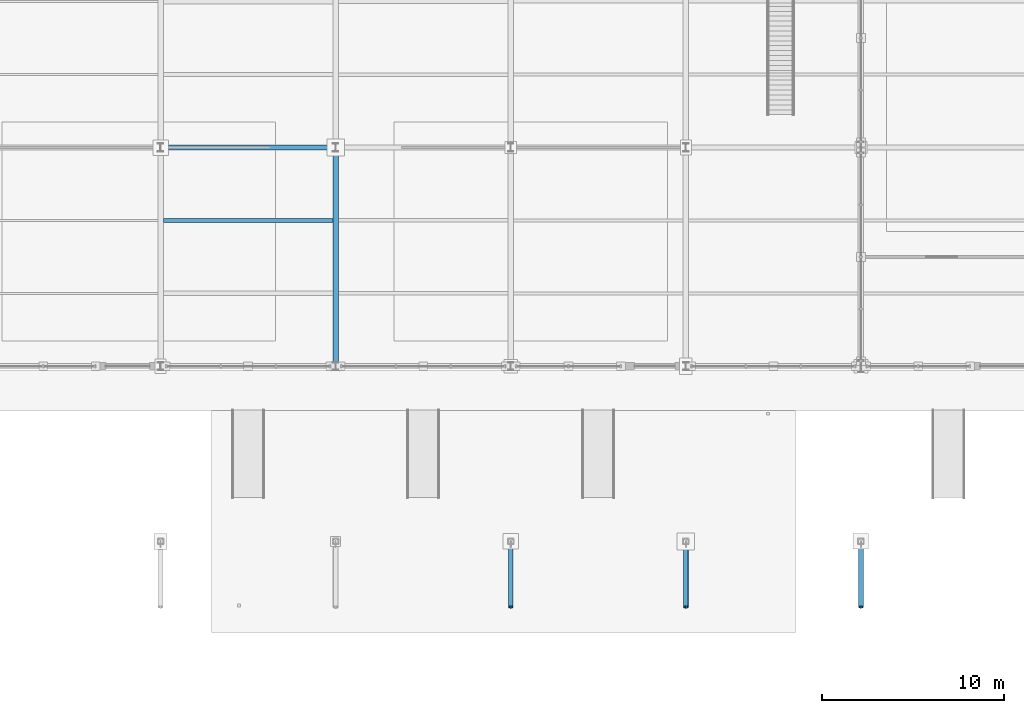
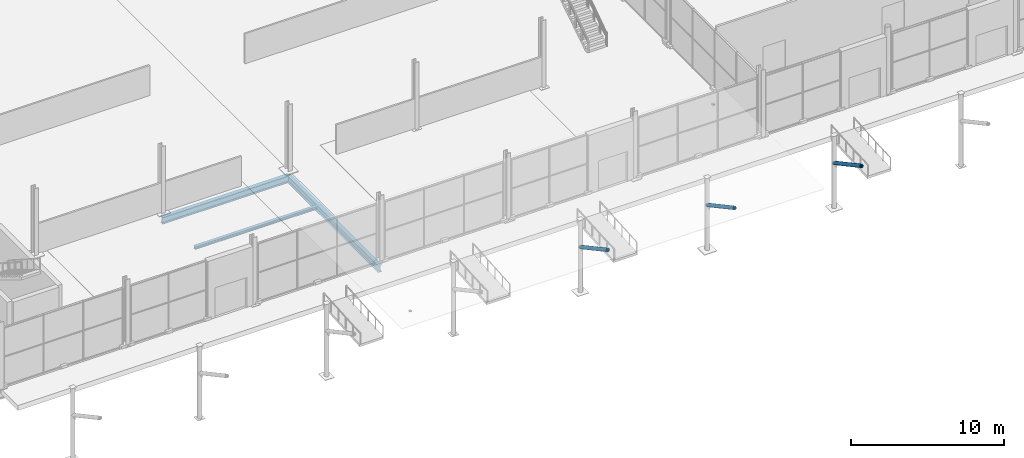
# One storey, part 34 of 196: 3 beams, 3 members.
"""IFC4 building model written with IfcOpenShell, lengths in metres."""

from ifc_helpers import new_model, si_unit, direction, frame, origin, origin_2d, place, context, subcontext, project, spatial, hollow_circle, i_section, extrude, material, material_profile, profile_set, type_object, element, save


model = new_model("IFC4")

# Units and contexts
model_context = context("Model", 3, precision=1e-05, world=origin(), true_north=direction((0.0, 1.0)))
body_context = subcontext(model_context, "Body", "Model", "MODEL_VIEW")
ifc_project = project(units=[si_unit("LENGTHUNIT", "METRE"), si_unit("AREAUNIT", "SQUARE_METRE"), si_unit("VOLUMEUNIT", "CUBIC_METRE"), si_unit("PLANEANGLEUNIT", "RADIAN"), si_unit("MASSUNIT", "GRAM", prefix="KILO")], contexts=[model_context])

# Site, building, storey
site_placement = place(None, origin())
site = spatial("IfcSite", under=ifc_project, at=site_placement, CompositionType="ELEMENT")
building_placement = place(site_placement, origin())
building = spatial("IfcBuilding", under=site, at=building_placement, Name="Merenkruunu Market Hall", CompositionType="ELEMENT")
storey_placement = place(building_placement, origin())
storey = spatial("IfcBuildingStorey", under=building, at=storey_placement, Name="L00", CompositionType="ELEMENT", Elevation=0.0)

# Members
ifc_material_1 = material(Name="Steel S355ML", Category="steel")
ifc_material_profile_1 = material_profile(ifc_material_1, hollow_circle(Radius=0.136474609375, WallThickness=0.012451171875, at=origin_2d()), Name="CHS 273x12.5")
ifc_profile_set_1 = profile_set([ifc_material_profile_1], Name="Steel S355ML")
member_type = type_object("IfcMemberType", Name="Diagonal Sway Brace BR02", PredefinedType="BRACE", material=ifc_profile_set_1)
for number, where, z_axis, x_axis, name in (
    (1, (38.39990234375, 6.0, 3.60009765625), (0.0, -0.880325370235, 0.474370364294), (1.0, 0.0, 0.0), "MEM-V6-STRUT-038"),
    (2, (48.0, 6.0, 3.60009765625), (0.0, -0.880325370235, 0.474370364294), (1.0, 0.0, 0.0), "MEM-V6-STRUT-048"),
    (3, (57.60009765625, 6.0, 3.60009765625), (0.0, -0.880325370235, 0.474370364294), (1.0, 0.0, 0.0), "MEM-V6-STRUT-058"),
):
    element("IfcMember", number, at=place(storey_placement, frame(where, z_axis=z_axis, x_axis=x_axis)), inside=storey, type_object=member_type, Name=name, PredefinedType="BRACE", context=body_context, shape_type="SweptSolid", body=[
        extrude(hollow_circle(Radius=0.136474609375, WallThickness=0.012451171875, at=origin_2d()), origin(), (0.0, 0.0, 1.0), 4.089599609375),
    ])

# Beams
ifc_material_2 = material(Name="Steel S355J2", Category="steel")
ifc_material_profile_2 = material_profile(ifc_material_2, i_section(OverallWidth=0.300048828125, OverallDepth=0.550048828125, WebThickness=0.014892578125, FlangeThickness=0.029052734375, FilletRadius=0.027099609375, at=origin_2d()), Name="HEB 550")
ifc_profile_set_2 = profile_set([ifc_material_profile_2], Name="Steel S355J2")
beam_type_1 = type_object("IfcBeamType", Name="Primary Floor Girder B02", PredefinedType="BEAM", material=ifc_profile_set_2)
beam_1_placement = place(storey_placement, frame((19.199951171875, 27.60009765625, -0.614990234375), z_axis=(1.0, 0.0, 0.0), x_axis=(0.0, 1.0, 0.0)))
element("IfcBeam", 4, at=beam_1_placement, inside=storey, type_object=beam_type_1, Name="BM-L00-B02-0029", PredefinedType="BEAM", context=body_context, shape_type="SweptSolid", body=[
    extrude(i_section(OverallWidth=0.300048828125, OverallDepth=0.550048828125, WebThickness=0.014892578125, FlangeThickness=0.029052734375, FilletRadius=0.027099609375, at=origin_2d()), origin(), (0.0, 0.0, 1.0), 9.60009765625),
])
ifc_material_profile_3 = material_profile(ifc_material_2, i_section(OverallWidth=0.300048828125, OverallDepth=0.5400390625, WebThickness=0.012451171875, FlangeThickness=0.02392578125, FilletRadius=0.027099609375, at=origin_2d()), Name="HEA 550")
ifc_profile_set_3 = profile_set([ifc_material_profile_3], Name="Steel S355J2")
beam_type_2 = type_object("IfcBeamType", Name="Primary Floor Girder B06", PredefinedType="BEAM", material=ifc_profile_set_3)
beam_2_placement = place(storey_placement, frame((28.800048828125, 15.60009765625, -0.610107421875), z_axis=(0.0, 1.0, 0.0), x_axis=(-1.0, 0.0, 0.0)))
element("IfcBeam", 5, at=beam_2_placement, inside=storey, type_object=beam_type_2, Name="BM-L00-B06-0158", PredefinedType="BEAM", context=body_context, shape_type="SweptSolid", body=[
    extrude(i_section(OverallWidth=0.300048828125, OverallDepth=0.5400390625, WebThickness=0.012451171875, FlangeThickness=0.02392578125, FilletRadius=0.027099609375, at=origin_2d()), origin(), (0.0, 0.0, 1.0), 12.0),
])
ifc_material_profile_4 = material_profile(ifc_material_2, i_section(OverallWidth=0.239990234375, OverallDepth=0.22998046875, WebThickness=0.007568359375, FlangeThickness=0.011962890625, FilletRadius=0.02099609375, at=origin_2d()), Name="HEA 240")
ifc_profile_set_4 = profile_set([ifc_material_profile_4], Name="Steel S355J2")
beam_type_3 = type_object("IfcBeamType", Name="Secondary Floor Joist J06", PredefinedType="JOIST", material=ifc_profile_set_4)
beam_3_placement = place(storey_placement, frame((19.35302734375, 23.60009765625, -0.455078125), z_axis=(1.0, 0.0, 0.0), x_axis=(0.0, 1.0, 0.0)))
element("IfcBeam", 6, at=beam_3_placement, inside=storey, type_object=beam_type_3, Name="BM-L00-J06-0297", PredefinedType="JOIST", context=body_context, shape_type="SweptSolid", body=[
    extrude(i_section(OverallWidth=0.239990234375, OverallDepth=0.22998046875, WebThickness=0.007568359375, FlangeThickness=0.011962890625, FilletRadius=0.02099609375, at=origin_2d()), origin(), (0.0, 0.0, 1.0), 9.2939453125),
])

save(model, "model.ifc")
